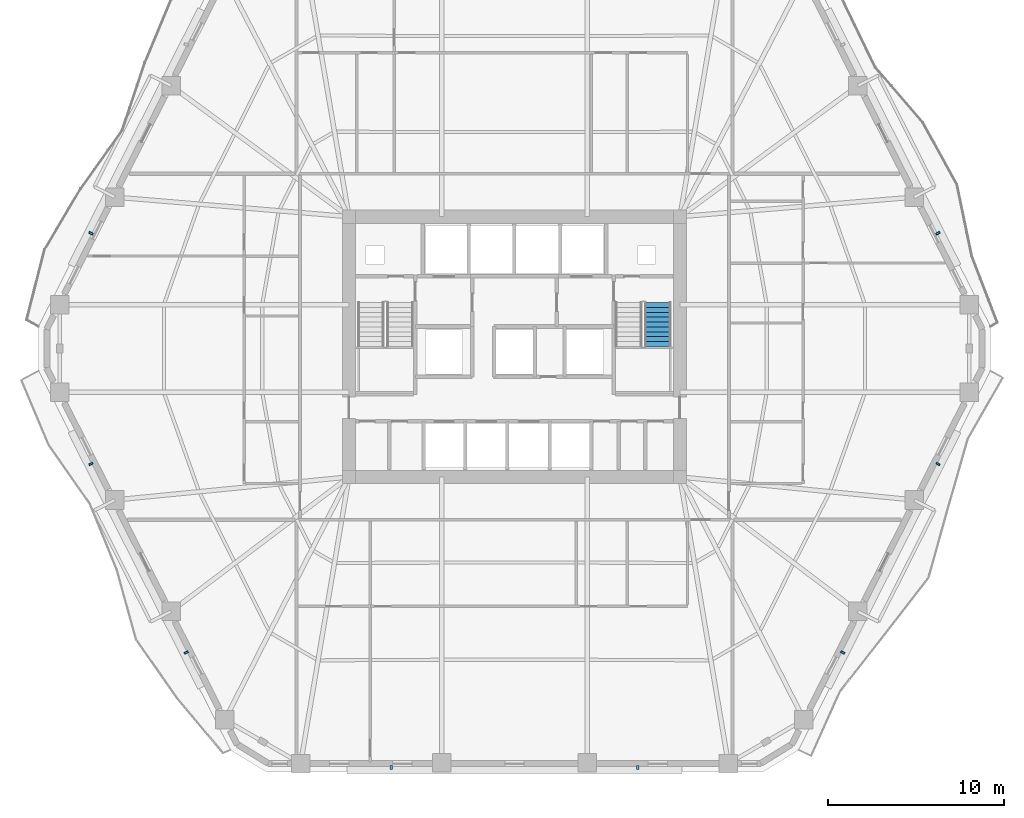
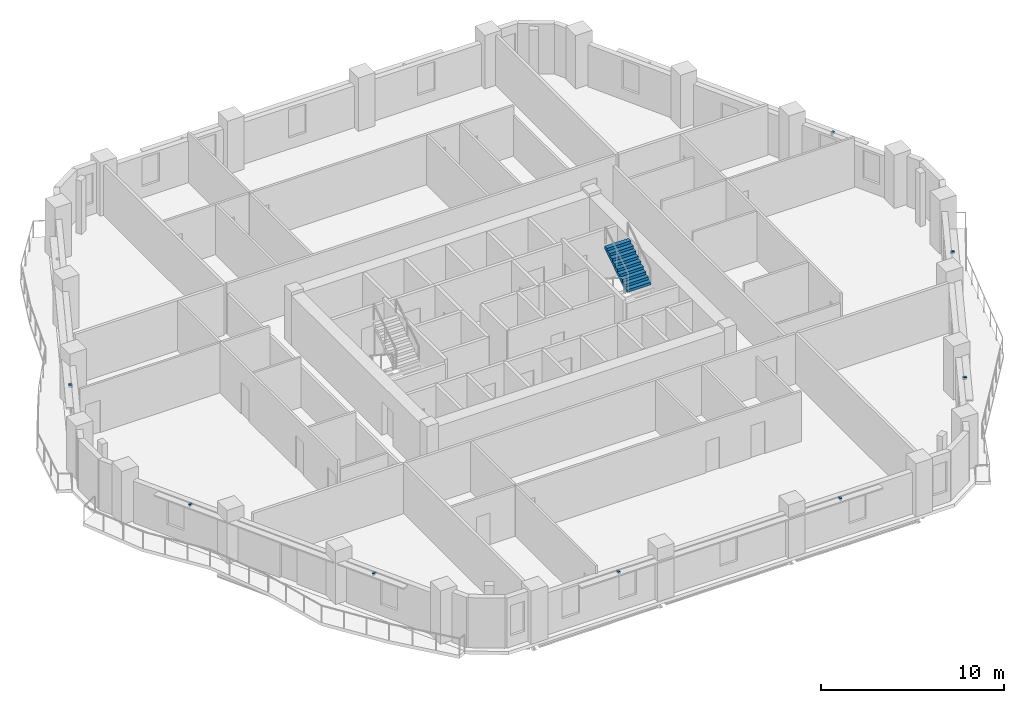
# One storey, part 8 of 13: 8 discrete accessories, 1 stair flight, 1 element without a shape of its own.
"""IFC4 building model written with IfcOpenShell, lengths in metres."""

from ifc_helpers import new_model, si_unit, direction, frame, origin, origin_2d, place, context, subcontext, project, spatial, polyline, rectangle, outline, extrude, material, type_object, element, aggregate, save


model = new_model("IFC4")

# Units and contexts
model_context = context("Model", 3, precision=1e-05, world=origin(), true_north=direction((0.0, 1.0)))
body_context = subcontext(model_context, "Body", "Model", "MODEL_VIEW")
ifc_project = project(units=[si_unit("LENGTHUNIT", "METRE"), si_unit("AREAUNIT", "SQUARE_METRE"), si_unit("VOLUMEUNIT", "CUBIC_METRE"), si_unit("PLANEANGLEUNIT", "RADIAN"), si_unit("MASSUNIT", "GRAM", prefix="KILO")], contexts=[model_context])

# Site, building, storey
site_placement = place(None, origin())
site = spatial("IfcSite", under=ifc_project, at=site_placement, CompositionType="ELEMENT")
building_placement = place(site_placement, origin())
building = spatial("IfcBuilding", under=site, at=building_placement, Name="Cinnabar Lancet Tower", CompositionType="ELEMENT")
storey_placement = place(building_placement, frame((0.0, 0.0, 80.0)))
storey = spatial("IfcBuildingStorey", under=building, at=storey_placement, Name="L20", CompositionType="ELEMENT", Elevation=80.0)

# Stair, stair flight
ifc_material_1 = material(Name="Concrete C40/50", Category="concrete")
stair_type = type_object("IfcStairType", Name="ST-CORE", PredefinedType="HALF_TURN_STAIR", material=ifc_material_1)
stair_placement = place(storey_placement, origin())
stair = element("IfcStair", 1, at=stair_placement, inside=storey, type_object=stair_type, Name="L20 ST-2", PredefinedType="HALF_TURN_STAIR")
ifc_material_2 = material(Name="Concrete C40/50", Category="concrete")
stair_flight_type = type_object("IfcStairFlightType", Name="FLIGHT-CORE", PredefinedType="STRAIGHT", material=ifc_material_2)
stair_flight_placement = place(storey_placement, frame((40.52490234375, 25.925048828125, 1.77490234375), z_axis=(0.0, 0.0, 1.0), x_axis=(0.0, 1.0, 0.0)))
stair_flight = element("IfcStairFlight", 2, at=stair_flight_placement, type_object=stair_flight_type, Name="ST-2 flight 2", NumberOfRisers=10, NumberOfTreads=9, PredefinedType="STRAIGHT", RiserHeight=0.1775, TreadLength=0.275, context=body_context, shape_type="SweptSolid", body=[
    extrude(outline(polyline([(0.0, 0.0), (0.0, 0.177490234375), (0.27490234375, 0.177490234375), (0.27490234375, 0.35498046875), (0.550048828125, 0.35498046875), (0.550048828125, 0.532470703125), (0.824951171875, 0.532470703125), (0.824951171875, 0.7099609375), (1.10009765625, 0.7099609375), (1.10009765625, 0.887451171875), (1.375, 0.887451171875), (1.375, 1.06494140625), (1.64990234375, 1.06494140625), (1.64990234375, 1.242431640625), (1.925048828125, 1.242431640625), (1.925048828125, 1.419921875), (2.199951171875, 1.419921875), (2.199951171875, 1.597412109375), (2.47509765625, 1.597412109375), (2.47509765625, 1.77490234375), (2.47509765625, 1.419189453125), (0.2763671875, 0.0), (0.0, 0.0)])), frame((0.0, 0.75, 0.0), z_axis=(0.0, -1.0, 0.0), x_axis=(1.0, 0.0, 0.0)), (0.0, 0.0, 1.0), 1.5),
])
aggregate(stair, [stair_flight])

# Discrete accessories
ifc_material_3 = material(Name="Stainless steel 316 facade fixing bracket", Category="steel")
discrete_accessory_type = type_object("IfcDiscreteAccessoryType", Name="ENV-ACC-BRK-180", PredefinedType="BRACKET", material=ifc_material_3)
for number, where, z_axis, x_axis, name in (
    (3, (25.4169921875, 2.06005859375, 2.60009765625), (0.0, 0.0, 1.0), (1.0, 0.0, 0.0), "L20 Face 1 Sunshade Bracket A"),
    (4, (39.383056640625, 2.06005859375, 2.60009765625), (0.0, 0.0, 1.0), (1.0, 0.0, 0.0), "L20 Face 1 Sunshade Bracket B"),
    (5, (50.993896484375, 8.5791015625, 2.60009765625), (0.0, 0.0, 1.0), (0.451500573218, 0.892270829056, 0.0), "L20 Face 2 Sunshade Bracket A"),
    (6, (56.39892578125, 19.260009765625, 2.60009765625), (0.0, 0.0, 1.0), (0.451500573218, 0.892270829056, 0.0), "L20 Face 2 Sunshade Bracket B"),
    (7, (56.39892578125, 32.340087890625, 2.60009765625), (0.0, 0.0, 1.0), (-0.451500573218, 0.892270829056, 0.0), "L20 Face 3 Sunshade Bracket A"),
    (8, (8.40087890625, 32.340087890625, 2.60009765625), (0.0, 0.0, 1.0), (-0.451500573218, -0.892270829056, 0.0), "L20 Face 5 Sunshade Bracket B"),
    (9, (8.40087890625, 19.260009765625, 2.60009765625), (0.0, 0.0, 1.0), (0.451500573218, -0.892270829056, 0.0), "L20 Face 6 Sunshade Bracket A"),
    (10, (13.805908203125, 8.5791015625, 2.60009765625), (0.0, 0.0, 1.0), (0.451500573218, -0.892270829056, 0.0), "L20 Face 6 Sunshade Bracket B"),
):
    element("IfcDiscreteAccessory", number, at=place(storey_placement, frame(where, z_axis=z_axis, x_axis=x_axis)), inside=storey, type_object=discrete_accessory_type, Name=name, PredefinedType="BRACKET", context=body_context, shape_type="SweptSolid", body=[
        extrude(rectangle(XDim=0.1201171875, YDim=0.239990234375, at=origin_2d()), origin(), (0.0, 0.0, 1.0), 0.159912109375),
    ])

save(model, "model.ifc")
